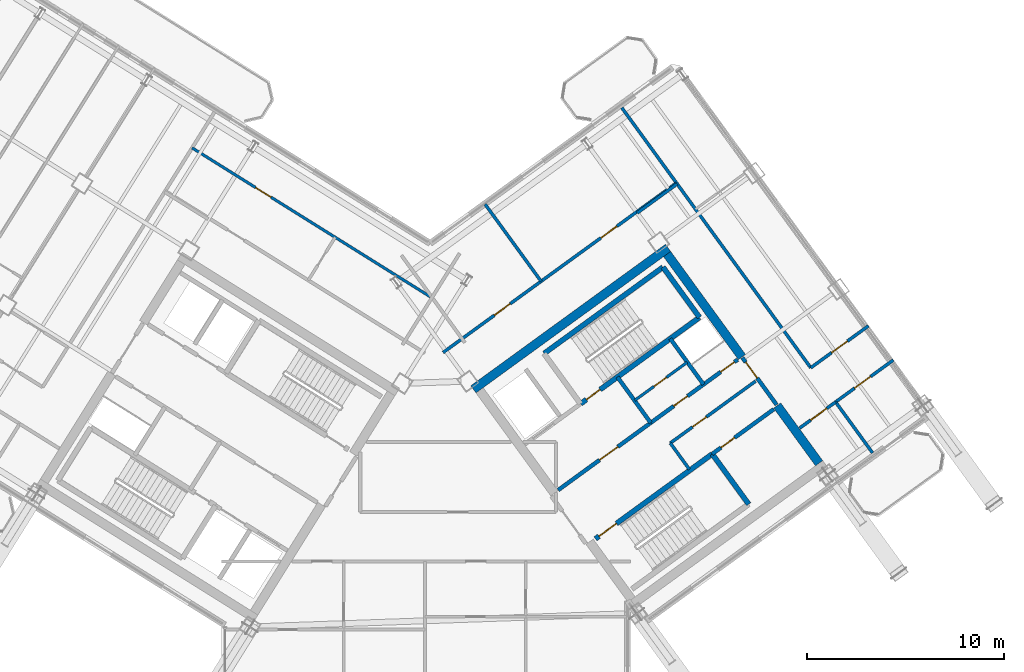
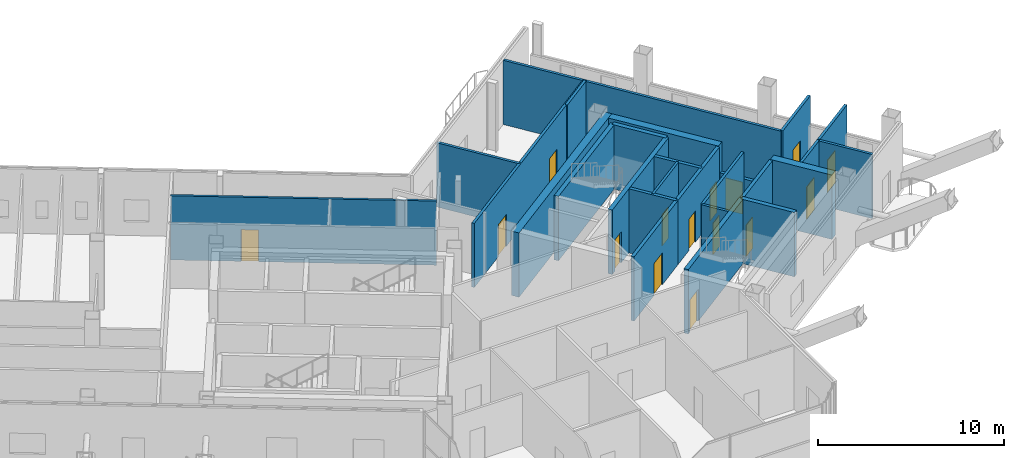
# One storey, part 25 of 34: 26 walls, 15 doors, 15 openings.
"""IFC4 building model written with IfcOpenShell, lengths in metres."""

from ifc_helpers import new_model, si_unit, direction, frame, frame_2d, origin, place, context, subcontext, project, spatial, rectangle, extrude, source, transform, mapped, material, layer, layer_set, type_object, element, fill, save


model = new_model("IFC4")

# Units and contexts
model_context = context("Model", 3, precision=1e-05, world=origin(), true_north=direction((0.0, 1.0)))
body_context = subcontext(model_context, "Body", "Model", "MODEL_VIEW")
ifc_project = project(units=[si_unit("LENGTHUNIT", "METRE"), si_unit("AREAUNIT", "SQUARE_METRE"), si_unit("VOLUMEUNIT", "CUBIC_METRE"), si_unit("PLANEANGLEUNIT", "RADIAN"), si_unit("MASSUNIT", "GRAM", prefix="KILO")], contexts=[model_context])

# Site, building, storey
site_placement = place(None, origin())
site = spatial("IfcSite", under=ifc_project, at=site_placement, CompositionType="ELEMENT")
building_placement = place(site_placement, origin())
building = spatial("IfcBuilding", under=site, at=building_placement, Name="Tlacorven Tower", CompositionType="ELEMENT")
storey_placement = place(building_placement, frame((0.0, 0.0, 229.199951171875)))
storey = spatial("IfcBuildingStorey", under=building, at=storey_placement, Name="L58", CompositionType="ELEMENT", Elevation=229.199951171875)

# Walls
ifc_material_1 = material(Name="Concrete C50/60", Category="concrete")
ifc_layer_1 = layer(ifc_material_1, 0.449951171875)
ifc_layer_set_1 = layer_set([ifc_layer_1], Name="Concrete C50/60")
wall_type_1 = type_object("IfcWallType", Name="WL-COR-450", PredefinedType="SHEAR", material=ifc_layer_set_1)
wall_1_placement = place(storey_placement, frame((44.405517578125, 24.171630859375, 0.0), z_axis=(0.0, 0.0, 1.0), x_axis=(0.809012867805, 0.587790931986, 0.0)))
element("IfcWall", 1, at=wall_1_placement, inside=storey, type_object=wall_type_1, Name="L58 E core shear wall S2", PredefinedType="SHEAR", context=body_context, shape_type="SweptSolid", body=[
    extrude(rectangle(XDim=12.239990234375, YDim=0.449951171875, at=frame_2d((6.1201171875, 0.0))), origin(), (0.0, 0.0, 1.0), 4.219970703125),
])
wall_2_placement = place(storey_placement, frame((61.987548828125, 20.413330078125, 0.0), z_axis=(0.0, 0.0, 1.0), x_axis=(-0.587819244441, 0.808992296542, 0.0)))
element("IfcWall", 2, at=wall_2_placement, inside=storey, type_object=wall_type_1, Name="L58 E core end wall E2.1", PredefinedType="SHEAR", context=body_context, shape_type="SweptSolid", body=[
    extrude(rectangle(XDim=3.625, YDim=0.449951171875, at=frame_2d((1.8125, 0.0))), origin(), (0.0, 0.0, 1.0), 4.219970703125),
])
wall_3_placement = place(storey_placement, frame((58.06396484375, 25.8134765625, 0.0), z_axis=(0.0, 0.0, 1.0), x_axis=(-0.587774812919, 0.809024578921, 0.0)))
element("IfcWall", 3, at=wall_3_placement, inside=storey, type_object=wall_type_1, Name="L58 E core end wall E2.2", PredefinedType="SHEAR", context=body_context, shape_type="SweptSolid", body=[
    extrude(rectangle(XDim=6.47509765625, YDim=0.449951171875, at=frame_2d((3.237548828125, 0.0))), origin(), (0.0, 0.0, 1.0), 4.219970703125),
])

# Wall, opening, door
ifc_material_2 = material(Name="Gypsum plasterboard acoustic partition", Category="gypsum")
ifc_layer_2 = layer(ifc_material_2, 0.159912109375)
ifc_layer_set_2 = layer_set([ifc_layer_2], Name="Gypsum plasterboard acoustic partition")
wall_type_2 = type_object("IfcWallType", Name="WL-DEM-160", PredefinedType="PARTITIONING", material=ifc_layer_set_2)
wall_4_placement = place(storey_placement, frame((54.421142578125, 21.436279296875, 0.0), z_axis=(0.0, 0.0, 1.0), x_axis=(0.809013710463, 0.587789772183, 0.0)))
wall_4 = element("IfcWall", 4, at=wall_4_placement, inside=storey, type_object=wall_type_2, Name="L58 partition 28", PredefinedType="PARTITIONING", context=body_context, shape_type="SweptSolid", body=[
    extrude(rectangle(XDim=5.360107421875, YDim=0.159912109375, at=frame_2d((2.68017578125, 0.0))), origin(), (0.0, 0.0, 1.0), 4.2099609375),
])
opening_1_placement = place(wall_4_placement, frame((1.39990234375, 0.0, 0.0)))
opening_1 = element("IfcOpeningElement", 5, at=opening_1_placement, cuts=wall_4, Name="Opening D19", PredefinedType="OPENING", context=body_context, shape_type="SweptSolid", body=[
    extrude(rectangle(XDim=0.860107421875, YDim=2.050048828125, at=frame_2d((0.43017578125, 1.02490234375))), frame((0.0, 0.08984375, 0.0), z_axis=(0.0, -1.0, 0.0), x_axis=(1.0, 0.0, 0.0)), (0.0, 0.0, 1.0), 0.179931640625),
])
ifc_material_3 = material(Name="Fire-rated steel door assembly", Category="steel")
door_type_1 = type_object("IfcDoorType", Name="DR-RSR-FD60-0860", OperationType="NOTDEFINED", PredefinedType="DOOR", material=ifc_material_3)
shared_shape_1 = source(origin(), body_context, "Body", "SweptSolid", [
    extrude(rectangle(XDim=0.860107421875, YDim=2.050048828125, at=frame_2d((0.43017578125, 1.02490234375))), frame((0.0, 0.02490234375, 0.0), z_axis=(0.0, -1.0, 0.0), x_axis=(1.0, 0.0, 0.0)), (0.0, 0.0, 1.0), 0.050048828125),
])
door_1_placement = place(opening_1_placement, origin())
door_1 = element("IfcDoor", 6, at=door_1_placement, inside=storey, type_object=door_type_1, Name="L58 Freed Core Store Door", OperationType="SINGLE_SWING_RIGHT", OverallHeight=2.050048828125, OverallWidth=0.860107421875, PredefinedType="DOOR", context=body_context, shape_type="MappedRepresentation", body=[
    mapped(shared_shape_1, transform((0.0, 0.0, 0.0), scale=1.0)),
])
fill(opening_1, door_1)

# Wall
wall_5_placement = place(storey_placement, frame((55.390869140625, 20.1015625, 0.0), z_axis=(0.0, 0.0, 1.0), x_axis=(-0.58778447739, 0.809017557374, 0.0)))
element("IfcWall", 7, at=wall_5_placement, inside=storey, type_object=wall_type_2, Name="L58 partition 29", PredefinedType="PARTITIONING", context=body_context, shape_type="SweptSolid", body=[
    extrude(rectangle(XDim=1.64990234375, YDim=0.159912109375, at=frame_2d((0.824951171875, 0.0))), origin(), (0.0, 0.0, 1.0), 4.2099609375),
])

# Wall, opening, door
wall_6_placement = place(storey_placement, frame((61.0009765625, 22.19970703125, 0.0), z_axis=(0.0, 0.0, 1.0), x_axis=(0.809053894229, 0.587734460648, 0.0)))
wall_6 = element("IfcWall", 8, at=wall_6_placement, inside=storey, type_object=wall_type_2, Name="L58 partition 78", PredefinedType="PARTITIONING", context=body_context, shape_type="SweptSolid", body=[
    extrude(rectangle(XDim=2.258056640625, YDim=0.159912109375, at=frame_2d((1.12890625, 0.0))), origin(), (0.0, 0.0, 1.0), 4.2099609375),
])
opening_2_placement = place(wall_6_placement, frame((0.697998046875, 0.0, 0.0)))
opening_2 = element("IfcOpeningElement", 9, at=opening_2_placement, cuts=wall_6, Name="Opening D11", PredefinedType="OPENING", context=body_context, shape_type="SweptSolid", body=[
    extrude(rectangle(XDim=1.0, YDim=2.10009765625, at=frame_2d((0.5, 1.050048828125))), frame((0.0, 0.08984375, 0.0), z_axis=(0.0, -1.0, 0.0), x_axis=(1.0, 0.0, 0.0)), (0.0, 0.0, 1.0), 0.179931640625),
])
door_type_2 = type_object("IfcDoorType", Name="DR-FLT-FD60-1000", OperationType="NOTDEFINED", PredefinedType="DOOR", material=ifc_material_3)
shared_shape_2 = source(origin(), body_context, "Body", "SweptSolid", [
    extrude(rectangle(XDim=1.0, YDim=2.10009765625, at=frame_2d((0.5, 1.050048828125))), frame((0.0, 0.02490234375, 0.0), z_axis=(0.0, -1.0, 0.0), x_axis=(1.0, 0.0, 0.0)), (0.0, 0.0, 1.0), 0.050048828125),
])
door_2_placement = place(opening_2_placement, frame((1.0, 0.0, 0.0), z_axis=(0.0, 0.0, 1.0), x_axis=(-1.0, 0.0, 0.0)))
door_2 = element("IfcDoor", 10, at=door_2_placement, inside=storey, type_object=door_type_2, Name="L58 door 053", OperationType="SINGLE_SWING_RIGHT", OverallHeight=2.10009765625, OverallWidth=1.0, PredefinedType="DOOR", context=body_context, shape_type="MappedRepresentation", body=[
    mapped(shared_shape_2, transform((0.0, 0.0, 0.0), scale=1.0)),
])
fill(opening_2, door_2)

# Walls
wall_7_placement = place(storey_placement, frame((52.73876953125, 33.143310546875, 0.0), z_axis=(0.0, 0.0, 1.0), x_axis=(0.809000999347, 0.58780726693, 0.0)))
element("IfcWall", 11, at=wall_7_placement, inside=storey, type_object=wall_type_2, Name="L58 partition 79", PredefinedType="PARTITIONING", context=body_context, shape_type="SweptSolid", body=[
    extrude(rectangle(XDim=2.510009765625, YDim=0.159912109375, at=frame_2d((1.2548828125, 0.0))), origin(), (0.0, 0.0, 1.0), 4.2099609375),
])
wall_8_placement = place(storey_placement, frame((64.708740234375, 20.93798828125, 0.0), z_axis=(0.0, 0.0, 1.0), x_axis=(-0.587772420479, 0.809026317077, 0.0)))
element("IfcWall", 12, at=wall_8_placement, inside=storey, type_object=wall_type_2, Name="L58 partition 80", PredefinedType="PARTITIONING", context=body_context, shape_type="SweptSolid", body=[
    extrude(rectangle(XDim=3.199951171875, YDim=0.159912109375, at=frame_2d((1.60009765625, 0.0))), origin(), (0.0, 0.0, 1.0), 4.2099609375),
])
wall_9_placement = place(storey_placement, frame((61.564208984375, 25.266357421875, 0.0), z_axis=(0.0, 0.0, 1.0), x_axis=(-0.587784527444, 0.809017521007, 0.0)))
element("IfcWall", 13, at=wall_9_placement, inside=storey, type_object=wall_type_2, Name="L58 partition 81", PredefinedType="PARTITIONING", context=body_context, shape_type="SweptSolid", body=[
    extrude(rectangle(XDim=16.35009765625, YDim=0.159912109375, at=frame_2d((8.175048828125, 0.0))), origin(), (0.0, 0.0, 1.0), 4.2099609375),
])

# Wall, opening, door
wall_10_placement = place(storey_placement, frame((62.827880859375, 23.52685546875, 0.0), z_axis=(0.0, 0.0, 1.0), x_axis=(0.809003564202, 0.587803736896, 0.0)))
wall_10 = element("IfcWall", 14, at=wall_10_placement, inside=storey, type_object=wall_type_2, Name="L58 partition 83", PredefinedType="PARTITIONING", context=body_context, shape_type="SweptSolid", body=[
    extrude(rectangle(XDim=3.630126953125, YDim=0.159912109375, at=frame_2d((1.81494140625, 0.0))), origin(), (0.0, 0.0, 1.0), 4.2099609375),
])
opening_3_placement = place(wall_10_placement, frame((1.199951171875, 0.0, 0.0)))
opening_3 = element("IfcOpeningElement", 15, at=opening_3_placement, cuts=wall_10, Name="Opening D11", PredefinedType="OPENING", context=body_context, shape_type="SweptSolid", body=[
    extrude(rectangle(XDim=1.0, YDim=2.10009765625, at=frame_2d((0.5, 1.050048828125))), frame((0.0, 0.08984375, 0.0), z_axis=(0.0, -1.0, 0.0), x_axis=(1.0, 0.0, 0.0)), (0.0, 0.0, 1.0), 0.179931640625),
])
door_3_placement = place(opening_3_placement, frame((1.0, 0.0, 0.0), z_axis=(0.0, 0.0, 1.0), x_axis=(-1.0, 0.0, 0.0)))
door_3 = element("IfcDoor", 16, at=door_3_placement, inside=storey, type_object=door_type_2, Name="L58 door 057", OperationType="SINGLE_SWING_RIGHT", OverallHeight=2.10009765625, OverallWidth=1.0, PredefinedType="DOOR", context=body_context, shape_type="MappedRepresentation", body=[
    mapped(shared_shape_2, transform((0.0, 0.0, 0.0), scale=1.0)),
])
fill(opening_3, door_3)

wall_11_placement = place(storey_placement, frame((61.564208984375, 25.266357421875, 0.0), z_axis=(0.0, 0.0, 1.0), x_axis=(0.809012309495, 0.587791700422, 0.0)))
wall_11 = element("IfcWall", 17, at=wall_11_placement, inside=storey, type_object=wall_type_2, Name="L58 partition 84", PredefinedType="PARTITIONING", context=body_context, shape_type="SweptSolid", body=[
    extrude(rectangle(XDim=3.6298828125, YDim=0.159912109375, at=frame_2d((1.81494140625, 0.0))), origin(), (0.0, 0.0, 1.0), 4.2099609375),
])
opening_4_placement = place(wall_11_placement, frame((1.304931640625, 0.0, 0.0)))
opening_4 = element("IfcOpeningElement", 18, at=opening_4_placement, cuts=wall_11, Name="Opening D11", PredefinedType="OPENING", context=body_context, shape_type="SweptSolid", body=[
    extrude(rectangle(XDim=1.0, YDim=2.10009765625, at=frame_2d((0.5, 1.050048828125))), frame((0.0, 0.08984375, 0.0), z_axis=(0.0, -1.0, 0.0), x_axis=(1.0, 0.0, 0.0)), (0.0, 0.0, 1.0), 0.179931640625),
])
door_4_placement = place(opening_4_placement, origin())
door_4 = element("IfcDoor", 19, at=door_4_placement, inside=storey, type_object=door_type_2, Name="L58 door 055", OperationType="SINGLE_SWING_RIGHT", OverallHeight=2.10009765625, OverallWidth=1.0, PredefinedType="DOOR", context=body_context, shape_type="MappedRepresentation", body=[
    mapped(shared_shape_2, transform((0.0, 0.0, 0.0), scale=1.0)),
])
fill(opening_4, door_4)

# Wall, openings, doors
wall_12_placement = place(storey_placement, frame((42.86572265625, 26.04443359375, 0.0), z_axis=(0.0, 0.0, 1.0), x_axis=(0.809020254154, 0.587780765566, 0.0)))
wall_12 = element("IfcWall", 20, at=wall_12_placement, inside=storey, type_object=wall_type_2, Name="L58 partition 86", PredefinedType="PARTITIONING", context=body_context, shape_type="SweptSolid", body=[
    extrude(rectangle(XDim=14.670166015625, YDim=0.159912109375, at=frame_2d((7.3349609375, 0.0))), origin(), (0.0, 0.0, 1.0), 4.2099609375),
])
opening_5_placement = place(wall_12_placement, frame((3.215087890625, 0.0, 0.0)))
opening_5 = element("IfcOpeningElement", 21, at=opening_5_placement, cuts=wall_12, Name="Opening D11", PredefinedType="OPENING", context=body_context, shape_type="SweptSolid", body=[
    extrude(rectangle(XDim=1.0, YDim=2.10009765625, at=frame_2d((0.5, 1.050048828125))), frame((0.0, 0.08984375, 0.0), z_axis=(0.0, -1.0, 0.0), x_axis=(1.0, 0.0, 0.0)), (0.0, 0.0, 1.0), 0.179931640625),
])
opening_6_placement = place(wall_12_placement, frame((9.9150390625, 0.0, 0.0)))
opening_6 = element("IfcOpeningElement", 22, at=opening_6_placement, cuts=wall_12, Name="Opening D11", PredefinedType="OPENING", context=body_context, shape_type="SweptSolid", body=[
    extrude(rectangle(XDim=1.0, YDim=2.10009765625, at=frame_2d((0.5, 1.050048828125))), frame((0.0, 0.08984375, 0.0), z_axis=(0.0, -1.0, 0.0), x_axis=(1.0, 0.0, 0.0)), (0.0, 0.0, 1.0), 0.179931640625),
])
door_5_placement = place(opening_5_placement, origin())
door_5 = element("IfcDoor", 23, at=door_5_placement, inside=storey, type_object=door_type_2, Name="L58 door 058", OperationType="SINGLE_SWING_LEFT", OverallHeight=2.10009765625, OverallWidth=1.0, PredefinedType="DOOR", context=body_context, shape_type="MappedRepresentation", body=[
    mapped(shared_shape_2, transform((0.0, 0.0, 0.0), scale=1.0)),
])
fill(opening_5, door_5)
door_6_placement = place(opening_6_placement, origin())
door_6 = element("IfcDoor", 24, at=door_6_placement, inside=storey, type_object=door_type_2, Name="L58 door 059", OperationType="SINGLE_SWING_RIGHT", OverallHeight=2.10009765625, OverallWidth=1.0, PredefinedType="DOOR", context=body_context, shape_type="MappedRepresentation", body=[
    mapped(shared_shape_2, transform((0.0, 0.0, 0.0), scale=1.0)),
])
fill(opening_6, door_6)

# Wall
wall_13_placement = place(storey_placement, frame((47.849365234375, 29.6650390625, 0.0), z_axis=(0.0, 0.0, 1.0), x_axis=(-0.587785532001, 0.809016791155, 0.0)))
element("IfcWall", 25, at=wall_13_placement, inside=storey, type_object=wall_type_2, Name="L58 EC Demising Wall 1", PredefinedType="PARTITIONING", context=body_context, shape_type="SweptSolid", body=[
    extrude(rectangle(XDim=4.85009765625, YDim=0.159912109375, at=frame_2d((2.425048828125, 0.0))), origin(), (0.0, 0.0, 1.0), 4.2099609375),
])

# Wall, opening, door
ifc_material_4 = material(Name="Moisture-resistant gypsum plumbing wall", Category="gypsum")
ifc_layer_3 = layer(ifc_material_4, 0.139892578125)
ifc_layer_set_3 = layer_set([ifc_layer_3], Name="Moisture-resistant gypsum plumbing wall")
wall_type_3 = type_object("IfcWallType", Name="WL-PLM-140", PredefinedType="PLUMBINGWALL", material=ifc_layer_set_3)
wall_14_placement = place(storey_placement, frame((52.617919921875, 23.612060546875, 0.0), z_axis=(0.0, 0.0, 1.0), x_axis=(0.809009587469, 0.587795446889, 0.0)))
wall_14 = element("IfcWall", 26, at=wall_14_placement, inside=storey, type_object=wall_type_3, Name="L58 partition 34", PredefinedType="PLUMBINGWALL", context=body_context, shape_type="SweptSolid", body=[
    extrude(rectangle(XDim=3.280029296875, YDim=0.139892578125, at=frame_2d((1.64013671875, 0.0))), origin(), (0.0, 0.0, 1.0), 4.2099609375),
])
opening_7_placement = place(wall_14_placement, frame((1.199951171875, 0.0, 0.0)))
opening_7 = element("IfcOpeningElement", 27, at=opening_7_placement, cuts=wall_14, Name="Opening D22", PredefinedType="OPENING", context=body_context, shape_type="SweptSolid", body=[
    extrude(rectangle(XDim=0.780029296875, YDim=2.050048828125, at=frame_2d((0.39013671875, 1.02490234375))), frame((0.0, 0.080078125, 0.0), z_axis=(0.0, -1.0, 0.0), x_axis=(1.0, 0.0, 0.0)), (0.0, 0.0, 1.0), 0.159912109375),
])
ifc_material_5 = material(Name="Powder-coated aluminium and timber door", Category="wood")
door_type_3 = type_object("IfcDoorType", Name="DR-INT-WET-0780", OperationType="NOTDEFINED", PredefinedType="DOOR", material=ifc_material_5)
shared_shape_3 = source(origin(), body_context, "Body", "SweptSolid", [
    extrude(rectangle(XDim=0.780029296875, YDim=2.050048828125, at=frame_2d((0.39013671875, 1.02490234375))), frame((0.0, 0.02490234375, 0.0), z_axis=(0.0, -1.0, 0.0), x_axis=(1.0, 0.0, 0.0)), (0.0, 0.0, 1.0), 0.050048828125),
])
door_7_placement = place(opening_7_placement, origin())
door_7 = element("IfcDoor", 28, at=door_7_placement, inside=storey, type_object=door_type_3, Name="L58 door 018", OperationType="SINGLE_SWING_RIGHT", OverallHeight=2.050048828125, OverallWidth=0.780029296875, PredefinedType="DOOR", context=body_context, shape_type="MappedRepresentation", body=[
    mapped(shared_shape_3, transform((0.0, 0.0, 0.0), scale=1.0)),
])
fill(opening_7, door_7)

wall_15_placement = place(storey_placement, frame((42.226318359375, 28.872802734375, 0.0), z_axis=(0.0, 0.0, 1.0), x_axis=(-0.848049134363, 0.529917602752, 0.0)))
wall_15 = element("IfcWall", 29, at=wall_15_placement, inside=storey, type_object=wall_type_3, Name="L58 partition 59", PredefinedType="PLUMBINGWALL", context=body_context, shape_type="SweptSolid", body=[
    extrude(rectangle(XDim=14.300048828125, YDim=0.139892578125, at=frame_2d((7.14990234375, 0.0))), origin(), (0.0, 0.0, 1.0), 4.2099609375),
])
opening_8_placement = place(wall_15_placement, frame((9.570068359375, 0.0, 0.0)))
opening_8 = element("IfcOpeningElement", 30, at=opening_8_placement, cuts=wall_15, Name="Opening D12", PredefinedType="OPENING", context=body_context, shape_type="SweptSolid", body=[
    extrude(rectangle(XDim=0.919921875, YDim=2.080078125, at=frame_2d((0.4599609375, 1.0400390625))), frame((0.0, 0.080078125, 0.0), z_axis=(0.0, -1.0, 0.0), x_axis=(1.0, 0.0, 0.0)), (0.0, 0.0, 1.0), 0.159912109375),
])
door_type_4 = type_object("IfcDoorType", Name="DR-INT-ROOM-0920", OperationType="NOTDEFINED", PredefinedType="DOOR", material=ifc_material_5)
shared_shape_4 = source(origin(), body_context, "Body", "SweptSolid", [
    extrude(rectangle(XDim=0.919921875, YDim=2.080078125, at=frame_2d((0.4599609375, 1.0400390625))), frame((0.0, 0.02490234375, 0.0), z_axis=(0.0, -1.0, 0.0), x_axis=(1.0, 0.0, 0.0)), (0.0, 0.0, 1.0), 0.050048828125),
])
door_8_placement = place(opening_8_placement, origin())
door_8 = element("IfcDoor", 31, at=door_8_placement, inside=storey, type_object=door_type_4, Name="L58 door 038", OperationType="SINGLE_SWING_LEFT", OverallHeight=2.080078125, OverallWidth=0.919921875, PredefinedType="DOOR", context=body_context, shape_type="MappedRepresentation", body=[
    mapped(shared_shape_4, transform((0.0, 0.0, 0.0), scale=1.0)),
])
fill(opening_8, door_8)

ifc_material_6 = material(Name="Concrete C40/50", Category="concrete")
ifc_layer_4 = layer(ifc_material_6, 0.199951171875)
ifc_layer_set_4 = layer_set([ifc_layer_4], Name="Concrete C40/50")
wall_type_4 = type_object("IfcWallType", Name="WL-SHF-200", PredefinedType="STANDARD", material=ifc_layer_set_4)
wall_16_placement = place(storey_placement, frame((48.7177734375, 19.0478515625, 0.0), z_axis=(0.0, 0.0, 1.0), x_axis=(0.809017261719, 0.587784884325, 0.0)))
wall_16 = element("IfcWall", 32, at=wall_16_placement, inside=storey, type_object=wall_type_4, Name="L58 Core E Smoke Lobby Wall", PredefinedType="STANDARD", context=body_context, shape_type="SweptSolid", body=[
    extrude(rectangle(XDim=5.81787109375, YDim=0.199951171875, at=frame_2d((2.908935546875, 0.0))), origin(), (0.0, 0.0, 1.0), 4.2099609375),
])
opening_9_placement = place(wall_16_placement, frame((2.597900390625, 0.0, 0.0)))
opening_9 = element("IfcOpeningElement", 33, at=opening_9_placement, cuts=wall_16, Name="Opening D09", PredefinedType="OPENING", context=body_context, shape_type="SweptSolid", body=[
    extrude(rectangle(XDim=1.14990234375, YDim=2.10009765625, at=frame_2d((0.574951171875, 1.050048828125))), frame((0.0, 0.10986328125, 0.0), z_axis=(0.0, -1.0, 0.0), x_axis=(1.0, 0.0, 0.0)), (0.0, 0.0, 1.0), 0.219970703125),
])
door_type_5 = type_object("IfcDoorType", Name="DR-FFL-FD60-1150", OperationType="NOTDEFINED", PredefinedType="DOOR", material=ifc_material_3)
shared_shape_5 = source(origin(), body_context, "Body", "SweptSolid", [
    extrude(rectangle(XDim=1.14990234375, YDim=2.10009765625, at=frame_2d((0.574951171875, 1.050048828125))), frame((0.0, 0.02490234375, 0.0), z_axis=(0.0, -1.0, 0.0), x_axis=(1.0, 0.0, 0.0)), (0.0, 0.0, 1.0), 0.050048828125),
])
door_9_placement = place(opening_9_placement, origin())
door_9 = element("IfcDoor", 34, at=door_9_placement, inside=storey, type_object=door_type_5, Name="L58 Firefighting Lobby E Fire Door", OperationType="SINGLE_SWING_RIGHT", OverallHeight=2.10009765625, OverallWidth=1.14990234375, PredefinedType="DOOR", context=body_context, shape_type="MappedRepresentation", body=[
    mapped(shared_shape_5, transform((0.0, 0.0, 0.0), scale=1.0)),
])
fill(opening_9, door_9)

wall_17_placement = place(storey_placement, frame((56.552978515625, 20.884033203125, 0.0), z_axis=(0.0, 0.0, 1.0), x_axis=(0.809041669066, 0.587751288995, 0.0)))
wall_17 = element("IfcWall", 35, at=wall_17_placement, inside=storey, type_object=wall_type_4, Name="L58 Core E South Lift Shaft Wall", PredefinedType="STANDARD", context=body_context, shape_type="SweptSolid", body=[
    extrude(rectangle(XDim=3.867919921875, YDim=0.199951171875, at=frame_2d((1.93408203125, 0.0))), origin(), (0.0, 0.0, 1.0), 4.2099609375),
])
opening_10_placement = place(wall_17_placement, frame((0.550048828125, 0.0, 0.0)))
opening_10 = element("IfcOpeningElement", 36, at=opening_10_placement, cuts=wall_17, Name="Opening D19", PredefinedType="OPENING", context=body_context, shape_type="SweptSolid", body=[
    extrude(rectangle(XDim=0.860107421875, YDim=2.050048828125, at=frame_2d((0.43017578125, 1.02490234375))), frame((0.0, 0.10986328125, 0.0), z_axis=(0.0, -1.0, 0.0), x_axis=(1.0, 0.0, 0.0)), (0.0, 0.0, 1.0), 0.219970703125),
])
door_10_placement = place(opening_10_placement, origin())
door_10 = element("IfcDoor", 37, at=door_10_placement, inside=storey, type_object=door_type_1, Name="L58 East Telecoms Riser Access Door", OperationType="SINGLE_SWING_LEFT", OverallHeight=2.050048828125, OverallWidth=0.860107421875, PredefinedType="DOOR", context=body_context, shape_type="MappedRepresentation", body=[
    mapped(shared_shape_1, transform((0.0, 0.0, 0.0), scale=1.0)),
])
fill(opening_10, door_10)

# Walls
wall_18_placement = place(storey_placement, frame((53.424560546875, 22.467529296875, 0.0), z_axis=(0.0, 0.0, 1.0), x_axis=(-0.5877230039, 0.809062216821, 0.0)))
element("IfcWall", 38, at=wall_18_placement, inside=storey, type_object=wall_type_4, Name="L58 partition 31", PredefinedType="STANDARD", context=body_context, shape_type="SweptSolid", body=[
    extrude(rectangle(XDim=2.8798828125, YDim=0.199951171875, at=frame_2d((1.43994140625, 0.0))), origin(), (0.0, 0.0, 1.0), 4.2099609375),
])
wall_19_placement = place(storey_placement, frame((56.110595703125, 24.4189453125, 0.0), z_axis=(0.0, 0.0, 1.0), x_axis=(-0.58777848983, 0.809021907548, 0.0)))
element("IfcWall", 39, at=wall_19_placement, inside=storey, type_object=wall_type_4, Name="L58 partition 32", PredefinedType="STANDARD", context=body_context, shape_type="SweptSolid", body=[
    extrude(rectangle(XDim=2.880126953125, YDim=0.199951171875, at=frame_2d((1.43994140625, 0.0))), origin(), (0.0, 0.0, 1.0), 4.2099609375),
])

# Wall, openings, doors
wall_20_placement = place(storey_placement, frame((53.424560546875, 22.467529296875, 0.0), z_axis=(0.0, 0.0, 1.0), x_axis=(0.809015945709, 0.587786695655, 0.0)))
wall_20 = element("IfcWall", 40, at=wall_20_placement, inside=storey, type_object=wall_type_4, Name="L58 Core E North Service Wall", PredefinedType="STANDARD", context=body_context, shape_type="SweptSolid", body=[
    extrude(rectangle(XDim=5.46826171875, YDim=0.199951171875, at=frame_2d((2.734130859375, 0.0))), origin(), (0.0, 0.0, 1.0), 4.2099609375),
])
opening_11_placement = place(wall_20_placement, frame((4.39990234375, 0.0, 0.0)))
opening_11 = element("IfcOpeningElement", 41, at=opening_11_placement, cuts=wall_20, Name="Opening D19", PredefinedType="OPENING", context=body_context, shape_type="SweptSolid", body=[
    extrude(rectangle(XDim=0.860107421875, YDim=2.050048828125, at=frame_2d((0.43017578125, 1.02490234375))), frame((0.0, 0.10986328125, 0.0), z_axis=(0.0, -1.0, 0.0), x_axis=(1.0, 0.0, 0.0)), (0.0, 0.0, 1.0), 0.219970703125),
])
opening_12_placement = place(wall_20_placement, frame((1.449951171875, 0.0, 0.0)))
opening_12 = element("IfcOpeningElement", 42, at=opening_12_placement, cuts=wall_20, Name="Opening D19", PredefinedType="OPENING", context=body_context, shape_type="SweptSolid", body=[
    extrude(rectangle(XDim=0.860107421875, YDim=2.050048828125, at=frame_2d((0.43017578125, 1.02490234375))), frame((0.0, 0.10986328125, 0.0), z_axis=(0.0, -1.0, 0.0), x_axis=(1.0, 0.0, 0.0)), (0.0, 0.0, 1.0), 0.219970703125),
])
door_11_placement = place(opening_11_placement, frame((0.860107421875, 0.0, 0.0), z_axis=(0.0, 0.0, 1.0), x_axis=(-1.0, 0.0, 0.0)))
door_11 = element("IfcDoor", 43, at=door_11_placement, inside=storey, type_object=door_type_1, Name="L58 Electrical Riser Access Door E", OperationType="SINGLE_SWING_RIGHT", OverallHeight=2.050048828125, OverallWidth=0.860107421875, PredefinedType="DOOR", context=body_context, shape_type="MappedRepresentation", body=[
    mapped(shared_shape_1, transform((0.0, 0.0, 0.0), scale=1.0)),
])
fill(opening_11, door_11)
door_12_placement = place(opening_12_placement, frame((0.860107421875, 0.0, 0.0), z_axis=(0.0, 0.0, 1.0), x_axis=(-1.0, 0.0, 0.0)))
door_12 = element("IfcDoor", 44, at=door_12_placement, inside=storey, type_object=door_type_1, Name="L58 Cleaner Store Access Door E", OperationType="SINGLE_SWING_LEFT", OverallHeight=2.050048828125, OverallWidth=0.860107421875, PredefinedType="DOOR", context=body_context, shape_type="MappedRepresentation", body=[
    mapped(shared_shape_1, transform((0.0, 0.0, 0.0), scale=1.0)),
])
fill(opening_12, door_12)

# Wall, opening, door
wall_21_placement = place(storey_placement, frame((59.827392578125, 23.386474609375, 0.0), z_axis=(0.0, 0.0, 1.0), x_axis=(-0.587803840107, 0.809003489211, 0.0)))
wall_21 = element("IfcWall", 45, at=wall_21_placement, inside=storey, type_object=wall_type_4, Name="L58 partition 77", PredefinedType="STANDARD", context=body_context, shape_type="SweptSolid", body=[
    extrude(rectangle(XDim=2.960205078125, YDim=0.199951171875, at=frame_2d((1.47998046875, 0.0))), origin(), (0.0, 0.0, 1.0), 2.39501953125),
])
opening_13_placement = place(wall_21_placement, frame((1.679931640625, 0.0, 0.0)))
opening_13 = element("IfcOpeningElement", 46, at=opening_13_placement, cuts=wall_21, Name="Opening D11", PredefinedType="OPENING", context=body_context, shape_type="SweptSolid", body=[
    extrude(rectangle(XDim=1.0, YDim=2.10009765625, at=frame_2d((0.5, 1.050048828125))), frame((0.0, 0.10986328125, 0.0), z_axis=(0.0, -1.0, 0.0), x_axis=(1.0, 0.0, 0.0)), (0.0, 0.0, 1.0), 0.219970703125),
])
door_13_placement = place(opening_13_placement, origin())
door_13 = element("IfcDoor", 47, at=door_13_placement, inside=storey, type_object=door_type_2, Name="L58 door 054", OperationType="SINGLE_SWING_LEFT", OverallHeight=2.10009765625, OverallWidth=1.0, PredefinedType="DOOR", context=body_context, shape_type="MappedRepresentation", body=[
    mapped(shared_shape_2, transform((0.0, 0.0, 0.0), scale=1.0)),
])
fill(opening_13, door_13)

# Wall
ifc_layer_5 = layer(ifc_material_1, 0.260009765625)
ifc_layer_set_5 = layer_set([ifc_layer_5], Name="Concrete C50/60")
wall_type_5 = type_object("IfcWallType", Name="WL-STW-260", PredefinedType="SHEAR", material=ifc_layer_set_5)
wall_22_placement = place(storey_placement, frame((48.005615234375, 25.996337890625, 0.0), z_axis=(0.0, 0.0, 1.0), x_axis=(0.80901903764, 0.587782439969, 0.0)))
element("IfcWall", 48, at=wall_22_placement, inside=storey, type_object=wall_type_5, Name="L58 Stair E1 Far Shear Wall", PredefinedType="SHEAR", context=body_context, shape_type="SweptSolid", body=[
    extrude(rectangle(XDim=7.4599609375, YDim=0.260009765625, at=frame_2d((3.72998046875, 0.0))), origin(), (0.0, 0.0, 1.0), 4.219970703125),
])

# Wall, opening, door
wall_23_placement = place(storey_placement, frame((49.863037109375, 23.439697265625, 0.0), z_axis=(0.0, 0.0, 1.0), x_axis=(0.809003474932, 0.587803859759, 0.0)))
wall_23 = element("IfcWall", 49, at=wall_23_placement, inside=storey, type_object=wall_type_5, Name="L58 Stair E1 Lobby Shear Wall", PredefinedType="SHEAR", context=body_context, shape_type="SweptSolid", body=[
    extrude(rectangle(XDim=7.4599609375, YDim=0.260009765625, at=frame_2d((3.72998046875, 0.0))), origin(), (0.0, 0.0, 1.0), 4.219970703125),
])
opening_14_placement = place(wall_23_placement, frame((0.360107421875, 0.0, 0.0)))
opening_14 = element("IfcOpeningElement", 50, at=opening_14_placement, cuts=wall_23, Name="Opening D19", PredefinedType="OPENING", context=body_context, shape_type="SweptSolid", body=[
    extrude(rectangle(XDim=0.860107421875, YDim=2.050048828125, at=frame_2d((0.43017578125, 1.02490234375))), frame((0.0, 0.14013671875, 0.0), z_axis=(0.0, -1.0, 0.0), x_axis=(1.0, 0.0, 0.0)), (0.0, 0.0, 1.0), 0.280029296875),
])
door_14_placement = place(opening_14_placement, frame((0.860107421875, 0.0, 0.0), z_axis=(0.0, 0.0, 1.0), x_axis=(-1.0, 0.0, 0.0)))
door_14 = element("IfcDoor", 51, at=door_14_placement, inside=storey, type_object=door_type_1, Name="L58 Exit Stair E1 Fire Door", OperationType="SINGLE_SWING_LEFT", OverallHeight=2.050048828125, OverallWidth=0.860107421875, PredefinedType="DOOR", context=body_context, shape_type="MappedRepresentation", body=[
    mapped(shared_shape_1, transform((0.0, 0.0, 0.0), scale=1.0)),
])
fill(opening_14, door_14)

# Wall
wall_24_placement = place(storey_placement, frame((55.906494140625, 27.83056640625, 0.0), z_axis=(0.0, 0.0, 1.0), x_axis=(-0.587804123638, 0.809003283204, 0.0)))
element("IfcWall", 52, at=wall_24_placement, inside=storey, type_object=wall_type_5, Name="L58 Stair E1 East Shear Wall", PredefinedType="SHEAR", context=body_context, shape_type="SweptSolid", body=[
    extrude(rectangle(XDim=3.159912109375, YDim=0.260009765625, at=frame_2d((1.580078125, 0.0))), origin(), (0.0, 0.0, 1.0), 4.219970703125),
])

# Wall, opening, door
wall_25_placement = place(storey_placement, frame((50.61474609375, 16.569580078125, 0.0), z_axis=(0.0, 0.0, 1.0), x_axis=(0.809028366311, 0.587769599847, 0.0)))
wall_25 = element("IfcWall", 53, at=wall_25_placement, inside=storey, type_object=wall_type_5, Name="L58 Stair E2 Lobby Shear Wall", PredefinedType="SHEAR", context=body_context, shape_type="SweptSolid", body=[
    extrude(rectangle(XDim=7.330078125, YDim=0.260009765625, at=frame_2d((3.6650390625, 0.0))), origin(), (0.0, 0.0, 1.0), 4.219970703125),
])
opening_15_placement = place(wall_25_placement, frame((0.219970703125, 0.0, 0.0)))
opening_15 = element("IfcOpeningElement", 54, at=opening_15_placement, cuts=wall_25, Name="Opening D07", PredefinedType="OPENING", context=body_context, shape_type="SweptSolid", body=[
    extrude(rectangle(XDim=1.10009765625, YDim=2.10009765625, at=frame_2d((0.550048828125, 1.050048828125))), frame((0.0, 0.14013671875, 0.0), z_axis=(0.0, -1.0, 0.0), x_axis=(1.0, 0.0, 0.0)), (0.0, 0.0, 1.0), 0.280029296875),
])
door_type_6 = type_object("IfcDoorType", Name="DR-STR-FD90-1100", OperationType="NOTDEFINED", PredefinedType="DOOR", material=ifc_material_3)
shared_shape_6 = source(origin(), body_context, "Body", "SweptSolid", [
    extrude(rectangle(XDim=1.10009765625, YDim=2.10009765625, at=frame_2d((0.550048828125, 1.050048828125))), frame((0.0, 0.02490234375, 0.0), z_axis=(0.0, -1.0, 0.0), x_axis=(1.0, 0.0, 0.0)), (0.0, 0.0, 1.0), 0.050048828125),
])
door_15_placement = place(opening_15_placement, origin())
door_15 = element("IfcDoor", 55, at=door_15_placement, inside=storey, type_object=door_type_6, Name="L58 Exit Stair E2 Fire Door", OperationType="SINGLE_SWING_LEFT", OverallHeight=2.10009765625, OverallWidth=1.10009765625, PredefinedType="DOOR", context=body_context, shape_type="MappedRepresentation", body=[
    mapped(shared_shape_6, transform((0.0, 0.0, 0.0), scale=1.0)),
])
fill(opening_15, door_15)

# Wall
wall_26_placement = place(storey_placement, frame((58.410400390625, 18.327392578125, 0.0), z_axis=(0.0, 0.0, 1.0), x_axis=(-0.58776738483, 0.809029975545, 0.0)))
element("IfcWall", 56, at=wall_26_placement, inside=storey, type_object=wall_type_5, Name="L58 Stair E2 East Shear Wall", PredefinedType="SHEAR", context=body_context, shape_type="SweptSolid", body=[
    extrude(rectangle(XDim=3.16015625, YDim=0.260009765625, at=frame_2d((1.580078125, 0.0))), origin(), (0.0, 0.0, 1.0), 4.219970703125),
])

save(model, "model.ifc")
